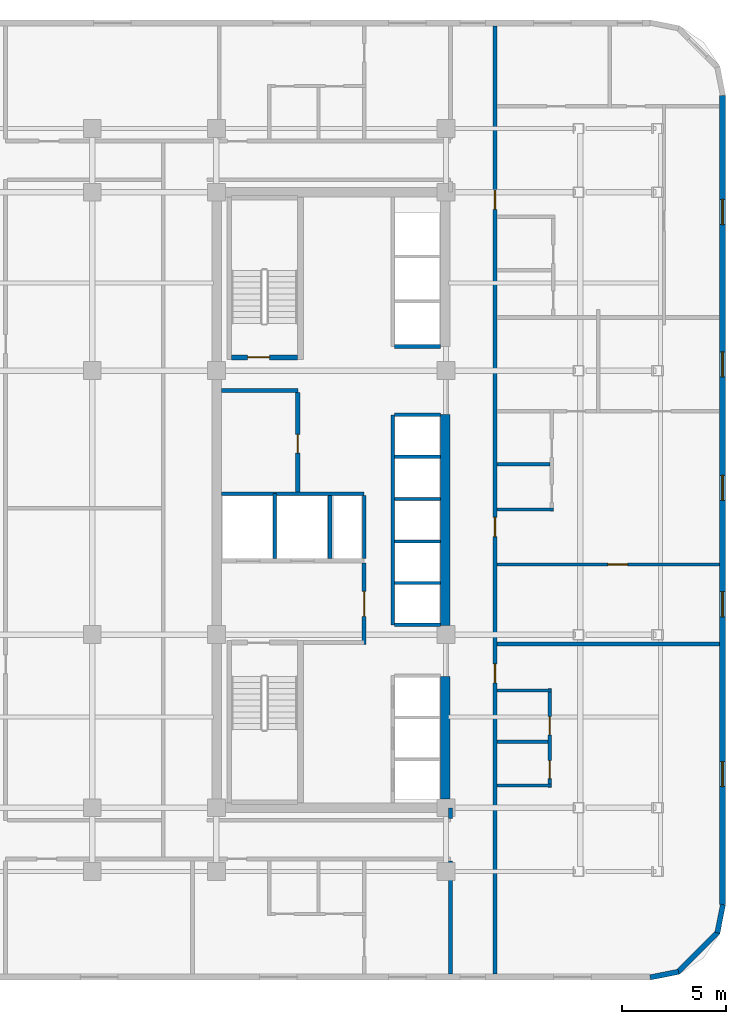
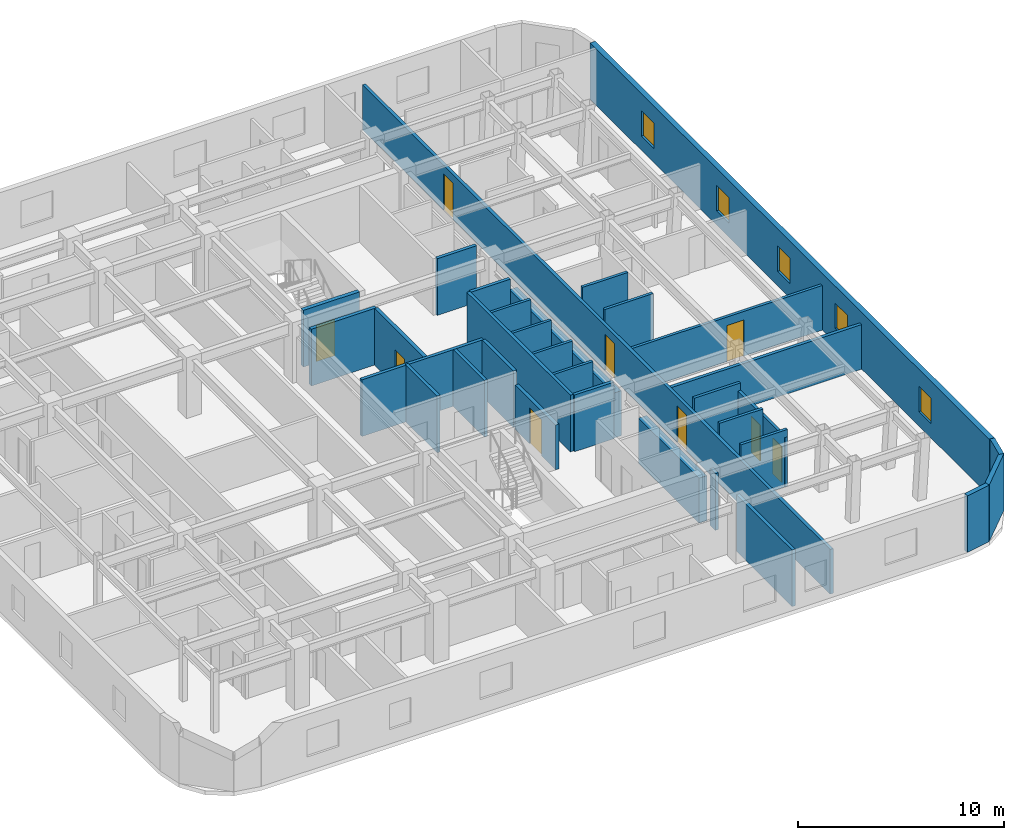
# One storey, part 8 of 12: 33 walls, 9 doors, 5 windows, 14 openings.
"""IFC4 building model written with IfcOpenShell, lengths in metres."""

from ifc_helpers import new_model, si_unit, direction, frame, frame_2d, origin, place, context, subcontext, project, spatial, rectangle, extrude, material, layer, layer_set, type_object, element, fill, save


model = new_model("IFC4")

# Units and contexts
model_context = context("Model", 3, precision=1e-05, world=origin(), true_north=direction((0.0, 1.0)))
body_context = subcontext(model_context, "Body", "Model", "MODEL_VIEW")
ifc_project = project(units=[si_unit("LENGTHUNIT", "METRE"), si_unit("AREAUNIT", "SQUARE_METRE"), si_unit("VOLUMEUNIT", "CUBIC_METRE"), si_unit("PLANEANGLEUNIT", "RADIAN"), si_unit("MASSUNIT", "GRAM", prefix="KILO")], contexts=[model_context])

# Site, building, storey
site_placement = place(None, origin())
site = spatial("IfcSite", under=ifc_project, at=site_placement, CompositionType="ELEMENT")
building_placement = place(site_placement, origin())
building = spatial("IfcBuilding", under=site, at=building_placement, Name="Ochreholt Gables", CompositionType="ELEMENT")
storey_placement = place(building_placement, frame((0.0, 0.0, 45.60009765625)))
storey = spatial("IfcBuildingStorey", under=building, at=storey_placement, Name="L11", CompositionType="ELEMENT", Elevation=45.60009765625)

# Walls
ifc_material_1 = material(Name="Concrete 60 MPa", Category="concrete")
ifc_layer_1 = layer(ifc_material_1, 0.449951171875, Name="Concrete 60 MPa")
ifc_layer_set_1 = layer_set([ifc_layer_1], Name="Concrete 60 MPa")
wall_type_1 = type_object("IfcWallType", Name="WALL-CSW-450", PredefinedType="SHEAR", material=ifc_layer_set_1)
wall_1_placement = place(storey_placement, frame((35.175048828125, 9.675048828125, 0.0), z_axis=(0.0, 0.0, 1.0), x_axis=(0.0, 1.0, 0.0)))
element("IfcWall", 1, at=wall_1_placement, inside=storey, type_object=wall_type_1, Name="L11 Core South-East Shear Wall", PredefinedType="SHEAR", context=body_context, shape_type="SweptSolid", body=[
    extrude(rectangle(XDim=5.875, YDim=0.449951171875, at=frame_2d((2.9375, 0.0))), origin(), (0.0, 0.0, 1.0), 2.6669921875),
])
wall_2_placement = place(storey_placement, frame((35.175048828125, 17.97509765625, 0.0), z_axis=(0.0, 0.0, 1.0), x_axis=(0.0, 1.0, 0.0)))
element("IfcWall", 2, at=wall_2_placement, inside=storey, type_object=wall_type_1, Name="L11 Core Central-East Shear Wall", PredefinedType="SHEAR", context=body_context, shape_type="SweptSolid", body=[
    extrude(rectangle(XDim=10.125, YDim=0.449951171875, at=frame_2d((5.0625, 0.0))), origin(), (0.0, 0.0, 1.0), 2.6669921875),
])

# Wall, openings, windows
ifc_material_2 = material(Name="Precast concrete 40 MPa", Category="concrete")
ifc_layer_2 = layer(ifc_material_2, 0.2900390625, Name="Precast concrete 40 MPa")
ifc_layer_set_2 = layer_set([ifc_layer_2], Name="Precast concrete 40 MPa")
wall_type_2 = type_object("IfcWallType", Name="WALL-EXT-290", PredefinedType="SOLIDWALL", material=ifc_layer_set_2)
wall_3_placement = place(storey_placement, frame((48.455078125, 4.6201171875, 0.0), z_axis=(0.0, 0.0, 1.0), x_axis=(0.0, 1.0, 0.0)))
wall_3 = element("IfcWall", 3, at=wall_3_placement, inside=storey, type_object=wall_type_2, Name="L11 East Exterior Wall", PredefinedType="SOLIDWALL", context=body_context, shape_type="SweptSolid", body=[
    extrude(rectangle(XDim=38.759765625, YDim=0.2900390625, at=frame_2d((19.3798828125, 0.0))), origin(), (0.0, 0.0, 1.0), 3.35986328125),
])
opening_1_placement = place(wall_3_placement, frame((5.639892578125, 0.0, 0.85009765625)))
opening_1 = element("IfcOpeningElement", 4, at=opening_1_placement, cuts=wall_3, Name="Opening WN-3", PredefinedType="OPENING", context=body_context, shape_type="SweptSolid", body=[
    extrude(rectangle(XDim=1.199951171875, YDim=1.5, at=frame_2d((0.60009765625, 0.75))), frame((0.0, 0.155029296875, 0.0), z_axis=(0.0, -1.0, 0.0), x_axis=(1.0, 0.0, 0.0)), (0.0, 0.0, 1.0), 0.31005859375),
])
opening_2_placement = place(wall_3_placement, frame((13.7841796875, 0.0, 0.85009765625)))
opening_2 = element("IfcOpeningElement", 5, at=opening_2_placement, cuts=wall_3, Name="Opening WN-3", PredefinedType="OPENING", context=body_context, shape_type="SweptSolid", body=[
    extrude(rectangle(XDim=1.199951171875, YDim=1.5, at=frame_2d((0.60009765625, 0.75))), frame((0.0, 0.155029296875, 0.0), z_axis=(0.0, -1.0, 0.0), x_axis=(1.0, 0.0, 0.0)), (0.0, 0.0, 1.0), 0.31005859375),
])
opening_3_placement = place(wall_3_placement, frame((19.359130859375, 0.0, 0.85009765625)))
opening_3 = element("IfcOpeningElement", 6, at=opening_3_placement, cuts=wall_3, Name="Opening WN-3", PredefinedType="OPENING", context=body_context, shape_type="SweptSolid", body=[
    extrude(rectangle(XDim=1.199951171875, YDim=1.5, at=frame_2d((0.60009765625, 0.75))), frame((0.0, 0.155029296875, 0.0), z_axis=(0.0, -1.0, 0.0), x_axis=(1.0, 0.0, 0.0)), (0.0, 0.0, 1.0), 0.31005859375),
])
opening_4_placement = place(wall_3_placement, frame((25.27490234375, 0.0, 0.85009765625)))
opening_4 = element("IfcOpeningElement", 7, at=opening_4_placement, cuts=wall_3, Name="Opening WN-3", PredefinedType="OPENING", context=body_context, shape_type="SweptSolid", body=[
    extrude(rectangle(XDim=1.199951171875, YDim=1.5, at=frame_2d((0.60009765625, 0.75))), frame((0.0, 0.155029296875, 0.0), z_axis=(0.0, -1.0, 0.0), x_axis=(1.0, 0.0, 0.0)), (0.0, 0.0, 1.0), 0.31005859375),
])
opening_5_placement = place(wall_3_placement, frame((32.580078125, 0.0, 0.85009765625)))
opening_5 = element("IfcOpeningElement", 8, at=opening_5_placement, cuts=wall_3, Name="Opening WN-3", PredefinedType="OPENING", context=body_context, shape_type="SweptSolid", body=[
    extrude(rectangle(XDim=1.199951171875, YDim=1.5, at=frame_2d((0.60009765625, 0.75))), frame((0.0, 0.155029296875, 0.0), z_axis=(0.0, -1.0, 0.0), x_axis=(1.0, 0.0, 0.0)), (0.0, 0.0, 1.0), 0.31005859375),
])
ifc_material_3 = material(Name="Triple-Glazed Thermally Broken Aluminium Window", Category="aluminium")
window_type = type_object("IfcWindowType", Name="WIN-RES-1200", PartitioningType="SINGLE_PANEL", PredefinedType="WINDOW", material=ifc_material_3)
window_1_placement = place(opening_1_placement, origin())
window_1 = element("IfcWindow", 9, at=window_1_placement, inside=storey, type_object=window_type, Name="L11 Window W-EXT-E-L11-1", OverallHeight=1.5, OverallWidth=1.199951171875, PartitioningType="SINGLE_PANEL", PredefinedType="WINDOW", context=body_context, shape_type="SweptSolid", body=[
    extrude(rectangle(XDim=1.199951171875, YDim=1.5, at=frame_2d((0.60009765625, 0.75))), frame((0.0, 0.030029296875, 0.0), z_axis=(0.0, -1.0, 0.0), x_axis=(1.0, 0.0, 0.0)), (0.0, 0.0, 1.0), 0.06005859375),
])
fill(opening_1, window_1)
window_2_placement = place(opening_2_placement, origin())
window_2 = element("IfcWindow", 10, at=window_2_placement, inside=storey, type_object=window_type, Name="L11 Window W-EXT-E-L11-2", OverallHeight=1.5, OverallWidth=1.199951171875, PartitioningType="SINGLE_PANEL", PredefinedType="WINDOW", context=body_context, shape_type="SweptSolid", body=[
    extrude(rectangle(XDim=1.199951171875, YDim=1.5, at=frame_2d((0.60009765625, 0.75))), frame((0.0, 0.030029296875, 0.0), z_axis=(0.0, -1.0, 0.0), x_axis=(1.0, 0.0, 0.0)), (0.0, 0.0, 1.0), 0.06005859375),
])
fill(opening_2, window_2)
window_3_placement = place(opening_3_placement, origin())
window_3 = element("IfcWindow", 11, at=window_3_placement, inside=storey, type_object=window_type, Name="L11 Window W-EXT-E-L11-3", OverallHeight=1.5, OverallWidth=1.199951171875, PartitioningType="SINGLE_PANEL", PredefinedType="WINDOW", context=body_context, shape_type="SweptSolid", body=[
    extrude(rectangle(XDim=1.199951171875, YDim=1.5, at=frame_2d((0.60009765625, 0.75))), frame((0.0, 0.030029296875, 0.0), z_axis=(0.0, -1.0, 0.0), x_axis=(1.0, 0.0, 0.0)), (0.0, 0.0, 1.0), 0.06005859375),
])
fill(opening_3, window_3)
window_4_placement = place(opening_4_placement, origin())
window_4 = element("IfcWindow", 12, at=window_4_placement, inside=storey, type_object=window_type, Name="L11 Window W-EXT-E-L11-4", OverallHeight=1.5, OverallWidth=1.199951171875, PartitioningType="SINGLE_PANEL", PredefinedType="WINDOW", context=body_context, shape_type="SweptSolid", body=[
    extrude(rectangle(XDim=1.199951171875, YDim=1.5, at=frame_2d((0.60009765625, 0.75))), frame((0.0, 0.030029296875, 0.0), z_axis=(0.0, -1.0, 0.0), x_axis=(1.0, 0.0, 0.0)), (0.0, 0.0, 1.0), 0.06005859375),
])
fill(opening_4, window_4)
window_5_placement = place(opening_5_placement, origin())
window_5 = element("IfcWindow", 13, at=window_5_placement, inside=storey, type_object=window_type, Name="L11 Window W-EXT-E-L11-5", OverallHeight=1.5, OverallWidth=1.199951171875, PartitioningType="SINGLE_PANEL", PredefinedType="WINDOW", context=body_context, shape_type="SweptSolid", body=[
    extrude(rectangle(XDim=1.199951171875, YDim=1.5, at=frame_2d((0.60009765625, 0.75))), frame((0.0, 0.030029296875, 0.0), z_axis=(0.0, -1.0, 0.0), x_axis=(1.0, 0.0, 0.0)), (0.0, 0.0, 1.0), 0.06005859375),
])
fill(opening_5, window_5)

# Walls
ifc_layer_3 = layer(ifc_material_2, 0.25, Name="Precast concrete 40 MPa")
ifc_layer_set_3 = layer_set([ifc_layer_3], Name="Precast concrete 40 MPa")
wall_type_3 = type_object("IfcWallType", Name="WALL-EXT-CNR", PredefinedType="SOLIDWALL", material=ifc_layer_set_3)
wall_4_placement = place(storey_placement, frame((44.9833984375, 1.124267578125, 0.0), z_axis=(0.0, 0.0, 1.0), x_axis=(0.980809899341, 0.19496651342, 0.0)))
element("IfcWall", 14, at=wall_4_placement, inside=storey, type_object=wall_type_3, Name="L11 Rounded Corner Wall SE-1", PredefinedType="SOLIDWALL", context=body_context, shape_type="SweptSolid", body=[
    extrude(rectangle(XDim=1.388671875, YDim=0.25, at=frame_2d((0.6943359375, 0.0))), origin(), (0.0, 0.0, 1.0), 3.35986328125),
])
wall_5_placement = place(storey_placement, frame((46.294921875, 1.367919921875, 0.0), z_axis=(0.0, 0.0, 1.0), x_axis=(0.707106781187, 0.707106781187, 0.0)))
element("IfcWall", 15, at=wall_5_placement, inside=storey, type_object=wall_type_3, Name="L11 Rounded Corner Wall SE-2", PredefinedType="SOLIDWALL", context=body_context, shape_type="SweptSolid", body=[
    extrude(rectangle(XDim=2.7392578125, YDim=0.25, at=frame_2d((1.36962890625, 0.0))), origin(), (0.0, 0.0, 1.0), 3.35986328125),
])
wall_6_placement = place(storey_placement, frame((48.205078125, 3.25439453125, 0.0), z_axis=(0.0, 0.0, 1.0), x_axis=(0.19496651342, 0.980809899341, 0.0)))
element("IfcWall", 16, at=wall_6_placement, inside=storey, type_object=wall_type_3, Name="L11 Rounded Corner Wall SE-3", PredefinedType="SOLIDWALL", context=body_context, shape_type="SweptSolid", body=[
    extrude(rectangle(XDim=1.388671875, YDim=0.25, at=frame_2d((0.6943359375, 0.0))), origin(), (0.0, 0.0, 1.0), 3.35986328125),
])

# Wall, opening, door
ifc_material_4 = material(Name="Concrete 40 MPa", Category="concrete")
ifc_layer_4 = layer(ifc_material_4, 0.199951171875, Name="Concrete 40 MPa")
ifc_layer_set_4 = layer_set([ifc_layer_4], Name="Concrete 40 MPa")
wall_type_4 = type_object("IfcWallType", Name="WALL-INT-CF200", PredefinedType="STANDARD", material=ifc_layer_set_4)
wall_7_placement = place(storey_placement, frame((31.280029296875, 17.070068359375, 0.0), z_axis=(0.0, 0.0, 1.0), x_axis=(0.0, 1.0, 0.0)))
wall_7 = element("IfcWall", 17, at=wall_7_placement, inside=storey, type_object=wall_type_4, Name="L11 Interior Wall WI-FFE-L11", PredefinedType="STANDARD", context=body_context, shape_type="SweptSolid", body=[
    extrude(rectangle(XDim=3.919921875, YDim=0.199951171875, at=frame_2d((1.9599609375, 0.0))), origin(), (0.0, 0.0, 1.0), 2.64892578125),
])
opening_6_placement = place(wall_7_placement, frame((1.35009765625, 0.0, 0.0)))
opening_6 = element("IfcOpeningElement", 18, at=opening_6_placement, cuts=wall_7, Name="Opening D-FFL", PredefinedType="OPENING", context=body_context, shape_type="SweptSolid", body=[
    extrude(rectangle(XDim=1.199951171875, YDim=2.14990234375, at=frame_2d((0.60009765625, 1.074951171875))), frame((0.0, 0.10986328125, 0.0), z_axis=(0.0, -1.0, 0.0), x_axis=(1.0, 0.0, 0.0)), (0.0, 0.0, 1.0), 0.219970703125),
])
ifc_material_5 = material(Name="Hollow Metal Steel", Category="steel")
door_type_1 = type_object("IfcDoorType", Name="DR-INT-FFL1200", OperationType="NOTDEFINED", PredefinedType="DOOR", material=ifc_material_5)
door_1_placement = place(opening_6_placement, origin())
door_1 = element("IfcDoor", 19, at=door_1_placement, inside=storey, type_object=door_type_1, Name="L11 Door D-FFL-L11", OperationType="SINGLE_SWING_LEFT", OverallHeight=2.14990234375, OverallWidth=1.199951171875, PredefinedType="DOOR", context=body_context, shape_type="SweptSolid", body=[
    extrude(rectangle(XDim=1.199951171875, YDim=2.14990234375, at=frame_2d((0.60009765625, 1.074951171875))), frame((0.0, 0.02490234375, 0.0), z_axis=(0.0, -1.0, 0.0), x_axis=(1.0, 0.0, 0.0)), (0.0, 0.0, 1.0), 0.050048828125),
])
fill(opening_6, door_1)

# Wall
wall_8_placement = place(storey_placement, frame((24.449951171875, 29.239990234375, 0.0), z_axis=(0.0, 0.0, 1.0), x_axis=(1.0, 0.0, 0.0)))
element("IfcWall", 20, at=wall_8_placement, inside=storey, type_object=wall_type_4, Name="L11 Interior Wall WI-SRVN-L11", PredefinedType="STANDARD", context=body_context, shape_type="SweptSolid", body=[
    extrude(rectangle(XDim=3.650146484375, YDim=0.199951171875, at=frame_2d((1.8251953125, 0.0))), origin(), (0.0, 0.0, 1.0), 3.35986328125),
])

# Wall, opening, door
wall_9_placement = place(storey_placement, frame((28.10009765625, 24.389892578125, 0.0), z_axis=(0.0, 0.0, 1.0), x_axis=(0.0, 1.0, 0.0)))
wall_9 = element("IfcWall", 21, at=wall_9_placement, inside=storey, type_object=wall_type_4, Name="L11 Interior Wall WI-SRVE-L11", PredefinedType="STANDARD", context=body_context, shape_type="SweptSolid", body=[
    extrude(rectangle(XDim=4.75, YDim=0.199951171875, at=frame_2d((2.375, 0.0))), origin(), (0.0, 0.0, 1.0), 3.35986328125),
])
opening_7_placement = place(wall_9_placement, frame((1.860107421875, 0.0, 0.0)))
opening_7 = element("IfcOpeningElement", 22, at=opening_7_placement, cuts=wall_9, Name="Opening D-SV1", PredefinedType="OPENING", context=body_context, shape_type="SweptSolid", body=[
    extrude(rectangle(XDim=0.89990234375, YDim=2.10009765625, at=frame_2d((0.449951171875, 1.050048828125))), frame((0.0, 0.10986328125, 0.0), z_axis=(0.0, -1.0, 0.0), x_axis=(1.0, 0.0, 0.0)), (0.0, 0.0, 1.0), 0.219970703125),
])
door_type_2 = type_object("IfcDoorType", Name="DR-INT-SRV900", OperationType="NOTDEFINED", PredefinedType="DOOR", material=ifc_material_5)
door_2_placement = place(opening_7_placement, origin())
door_2 = element("IfcDoor", 23, at=door_2_placement, inside=storey, type_object=door_type_2, Name="L11 Door D-SRV1-L11", OperationType="SINGLE_SWING_LEFT", OverallHeight=2.10009765625, OverallWidth=0.89990234375, PredefinedType="DOOR", context=body_context, shape_type="SweptSolid", body=[
    extrude(rectangle(XDim=0.89990234375, YDim=2.10009765625, at=frame_2d((0.449951171875, 1.050048828125))), frame((0.0, 0.02490234375, 0.0), z_axis=(0.0, -1.0, 0.0), x_axis=(1.0, 0.0, 0.0)), (0.0, 0.0, 1.0), 0.050048828125),
])
fill(opening_7, door_2)

# Wall, openings, doors
ifc_material_6 = material(Name="Fire-Rated Gypsum Acoustic Partition", Category="gypsum")
ifc_layer_5 = layer(ifc_material_6, 0.179931640625, Name="Fire-Rated Gypsum Acoustic Partition")
ifc_layer_set_5 = layer_set([ifc_layer_5], Name="Fire-Rated Gypsum Acoustic Partition")
wall_type_5 = type_object("IfcWallType", Name="WALL-INT-CR180", PredefinedType="STANDARD", material=ifc_layer_set_5)
wall_10_placement = place(storey_placement, frame((37.550048828125, 1.2900390625, 0.0), z_axis=(0.0, 0.0, 1.0), x_axis=(0.0, 1.0, 0.0)))
wall_10 = element("IfcWall", 24, at=wall_10_placement, inside=storey, type_object=wall_type_5, Name="L11 Interior Wall WI-C1E-L11", PredefinedType="STANDARD", context=body_context, shape_type="SweptSolid", body=[
    extrude(rectangle(XDim=45.419921875, YDim=0.179931640625, at=frame_2d((22.7099609375, 0.0))), origin(), (0.0, 0.0, 1.0), 2.64892578125),
])
opening_8_placement = place(wall_10_placement, frame((13.94287109375, 0.0, 0.0)))
opening_8 = element("IfcOpeningElement", 25, at=opening_8_placement, cuts=wall_10, Name="Opening D-UN1", PredefinedType="OPENING", context=body_context, shape_type="SweptSolid", body=[
    extrude(rectangle(XDim=0.919921875, YDim=2.14990234375, at=frame_2d((0.4599609375, 1.074951171875))), frame((0.0, 0.099853515625, 0.0), z_axis=(0.0, -1.0, 0.0), x_axis=(1.0, 0.0, 0.0)), (0.0, 0.0, 1.0), 0.199951171875),
])
opening_9_placement = place(wall_10_placement, frame((20.952880859375, 0.0, 0.0)))
opening_9 = element("IfcOpeningElement", 26, at=opening_9_placement, cuts=wall_10, Name="Opening D-UN1", PredefinedType="OPENING", context=body_context, shape_type="SweptSolid", body=[
    extrude(rectangle(XDim=0.919921875, YDim=2.14990234375, at=frame_2d((0.4599609375, 1.074951171875))), frame((0.0, 0.099853515625, 0.0), z_axis=(0.0, -1.0, 0.0), x_axis=(1.0, 0.0, 0.0)), (0.0, 0.0, 1.0), 0.199951171875),
])
opening_10_placement = place(wall_10_placement, frame((36.635498046875, 0.0, 0.0)))
opening_10 = element("IfcOpeningElement", 27, at=opening_10_placement, cuts=wall_10, Name="Opening D-UN1", PredefinedType="OPENING", context=body_context, shape_type="SweptSolid", body=[
    extrude(rectangle(XDim=0.919921875, YDim=2.14990234375, at=frame_2d((0.4599609375, 1.074951171875))), frame((0.0, 0.099853515625, 0.0), z_axis=(0.0, -1.0, 0.0), x_axis=(1.0, 0.0, 0.0)), (0.0, 0.0, 1.0), 0.199951171875),
])
ifc_material_7 = material(Name="Engineered Oak Timber", Category="wood")
door_type_3 = type_object("IfcDoorType", Name="DR-INT-UNT920", OperationType="NOTDEFINED", PredefinedType="DOOR", material=ifc_material_7)
door_3_placement = place(opening_8_placement, origin())
door_3 = element("IfcDoor", 28, at=door_3_placement, inside=storey, type_object=door_type_3, Name="L11 Door D-U-L11E1-ENT", OperationType="SINGLE_SWING_RIGHT", OverallHeight=2.14990234375, OverallWidth=0.919921875, PredefinedType="DOOR", context=body_context, shape_type="SweptSolid", body=[
    extrude(rectangle(XDim=0.919921875, YDim=2.14990234375, at=frame_2d((0.4599609375, 1.074951171875))), frame((0.0, 0.02490234375, 0.0), z_axis=(0.0, -1.0, 0.0), x_axis=(1.0, 0.0, 0.0)), (0.0, 0.0, 1.0), 0.050048828125),
])
fill(opening_8, door_3)
door_4_placement = place(opening_9_placement, origin())
door_4 = element("IfcDoor", 29, at=door_4_placement, inside=storey, type_object=door_type_3, Name="L11 Door D-U-L11E2-ENT", OperationType="SINGLE_SWING_LEFT", OverallHeight=2.14990234375, OverallWidth=0.919921875, PredefinedType="DOOR", context=body_context, shape_type="SweptSolid", body=[
    extrude(rectangle(XDim=0.919921875, YDim=2.14990234375, at=frame_2d((0.4599609375, 1.074951171875))), frame((0.0, 0.02490234375, 0.0), z_axis=(0.0, -1.0, 0.0), x_axis=(1.0, 0.0, 0.0)), (0.0, 0.0, 1.0), 0.050048828125),
])
fill(opening_9, door_4)
door_5_placement = place(opening_10_placement, origin())
door_5 = element("IfcDoor", 30, at=door_5_placement, inside=storey, type_object=door_type_3, Name="L11 Door D-U-L11E3-ENT", OperationType="SINGLE_SWING_RIGHT", OverallHeight=2.14990234375, OverallWidth=0.919921875, PredefinedType="DOOR", context=body_context, shape_type="SweptSolid", body=[
    extrude(rectangle(XDim=0.919921875, YDim=2.14990234375, at=frame_2d((0.4599609375, 1.074951171875))), frame((0.0, 0.02490234375, 0.0), z_axis=(0.0, -1.0, 0.0), x_axis=(1.0, 0.0, 0.0)), (0.0, 0.0, 1.0), 0.050048828125),
])
fill(opening_10, door_5)

# Walls
wall_11_placement = place(storey_placement, frame((35.419921875, 8.739990234375, 0.0), z_axis=(0.0, 0.0, 1.0), x_axis=(0.0, 1.0, 0.0)))
element("IfcWall", 31, at=wall_11_placement, inside=storey, type_object=wall_type_5, Name="L11 Interior Wall WI-C1ESW2-L11", PredefinedType="STANDARD", context=body_context, shape_type="SweptSolid", body=[
    extrude(rectangle(XDim=0.510009765625, YDim=0.179931640625, at=frame_2d((0.2548828125, 0.0))), origin(), (0.0, 0.0, 1.0), 3.35986328125),
])
ifc_material_8 = material(Name="Double-Stud Acoustic Demising Wall", Category="gypsum")
ifc_layer_6 = layer(ifc_material_8, 0.179931640625, Name="Double-Stud Acoustic Demising Wall")
ifc_layer_set_6 = layer_set([ifc_layer_6], Name="Double-Stud Acoustic Demising Wall")
wall_type_6 = type_object("IfcWallType", Name="WALL-INT-DM180", PredefinedType="PARTITIONING", material=ifc_layer_set_6)
wall_12_placement = place(storey_placement, frame((35.419921875, 1.2900390625, 0.0), z_axis=(0.0, 0.0, 1.0), x_axis=(0.0, 1.0, 0.0)))
element("IfcWall", 32, at=wall_12_placement, inside=storey, type_object=wall_type_6, Name="L11 Interior Wall WI-C1ESW-L11", PredefinedType="PARTITIONING", context=body_context, shape_type="SweptSolid", body=[
    extrude(rectangle(XDim=5.419921875, YDim=0.179931640625, at=frame_2d((2.7099609375, 0.0))), origin(), (0.0, 0.0, 1.0), 3.35986328125),
])
wall_13_placement = place(storey_placement, frame((37.639892578125, 17.10009765625, 0.0), z_axis=(0.0, 0.0, 1.0), x_axis=(1.0, 0.0, 0.0)))
element("IfcWall", 33, at=wall_13_placement, inside=storey, type_object=wall_type_6, Name="L11 Interior Wall WI-UDE2-L11", PredefinedType="PARTITIONING", context=body_context, shape_type="SweptSolid", body=[
    extrude(rectangle(XDim=10.670166015625, YDim=0.179931640625, at=frame_2d((5.3349609375, 0.0))), origin(), (0.0, 0.0, 1.0), 2.64892578125),
])
ifc_material_9 = material(Name="Moisture-Resistant Plumbing Chase Wall", Category="gypsum")
ifc_layer_7 = layer(ifc_material_9, 0.159912109375, Name="Moisture-Resistant Plumbing Chase Wall")
ifc_layer_set_7 = layer_set([ifc_layer_7], Name="Moisture-Resistant Plumbing Chase Wall")
wall_type_7 = type_object("IfcWallType", Name="WALL-INT-PL160", PredefinedType="PLUMBINGWALL", material=ifc_layer_set_7)
for number, where, z_axis, x_axis, name in (
    (34, (37.639892578125, 10.322998046875, 0.0), (0.0, 0.0, 1.0), (1.0, 0.0, 0.0), "L11 Interior Wall WU-L11E1-WYS"),
    (35, (37.639892578125, 14.872802734375, 0.0), (0.0, 0.0, 1.0), (1.0, 0.0, 0.0), "L11 Interior Wall WU-L11E1-WYN"),
):
    element("IfcWall", number, at=place(storey_placement, frame(where, z_axis=z_axis, x_axis=x_axis)), inside=storey, type_object=wall_type_7, Name=name, PredefinedType="PLUMBINGWALL", context=body_context, shape_type="SweptSolid", body=[
        extrude(rectangle(XDim=2.606201171875, YDim=0.159912109375, at=frame_2d((1.30322265625, 0.0))), origin(), (0.0, 0.0, 1.0), 3.35986328125),
    ])

# Wall, openings, doors
wall_14_placement = place(storey_placement, frame((40.166015625, 10.23291015625, 0.0), z_axis=(0.0, 0.0, 1.0), x_axis=(0.0, 1.0, 0.0)))
wall_14 = element("IfcWall", 36, at=wall_14_placement, inside=storey, type_object=wall_type_7, Name="L11 Interior Wall WU-L11E1-WX", PredefinedType="PLUMBINGWALL", context=body_context, shape_type="SweptSolid", body=[
    extrude(rectangle(XDim=4.72998046875, YDim=0.159912109375, at=frame_2d((2.364990234375, 0.0))), origin(), (0.0, 0.0, 1.0), 2.931884765625),
])
opening_11_placement = place(wall_14_placement, frame((0.419921875, 0.0, 0.0)))
opening_11 = element("IfcOpeningElement", 37, at=opening_11_placement, cuts=wall_14, Name="Opening D-BT1", PredefinedType="OPENING", context=body_context, shape_type="SweptSolid", body=[
    extrude(rectangle(XDim=0.860107421875, YDim=2.1201171875, at=frame_2d((0.43017578125, 1.06005859375))), frame((0.0, 0.08984375, 0.0), z_axis=(0.0, -1.0, 0.0), x_axis=(1.0, 0.0, 0.0)), (0.0, 0.0, 1.0), 0.179931640625),
])
opening_12_placement = place(wall_14_placement, frame((2.512939453125, 0.0, 0.0)))
opening_12 = element("IfcOpeningElement", 38, at=opening_12_placement, cuts=wall_14, Name="Opening D-GN2", PredefinedType="OPENING", context=body_context, shape_type="SweptSolid", body=[
    extrude(rectangle(XDim=0.8798828125, YDim=2.1201171875, at=frame_2d((0.43994140625, 1.06005859375))), frame((0.0, 0.08984375, 0.0), z_axis=(0.0, -1.0, 0.0), x_axis=(1.0, 0.0, 0.0)), (0.0, 0.0, 1.0), 0.179931640625),
])
door_type_4 = type_object("IfcDoorType", Name="DR-INT-BTH860", OperationType="NOTDEFINED", PredefinedType="DOOR", material=ifc_material_7)
door_6_placement = place(opening_11_placement, origin())
door_6 = element("IfcDoor", 39, at=door_6_placement, inside=storey, type_object=door_type_4, Name="L11 Door D-U-L11E1-BTH", OperationType="SINGLE_SWING_LEFT", OverallHeight=2.1201171875, OverallWidth=0.860107421875, PredefinedType="DOOR", context=body_context, shape_type="SweptSolid", body=[
    extrude(rectangle(XDim=0.860107421875, YDim=2.1201171875, at=frame_2d((0.43017578125, 1.06005859375))), frame((0.0, 0.02490234375, 0.0), z_axis=(0.0, -1.0, 0.0), x_axis=(1.0, 0.0, 0.0)), (0.0, 0.0, 1.0), 0.050048828125),
])
fill(opening_11, door_6)
door_type_5 = type_object("IfcDoorType", Name="DR-INT-GEN880", OperationType="NOTDEFINED", PredefinedType="DOOR", material=ifc_material_7)
door_7_placement = place(opening_12_placement, origin())
door_7 = element("IfcDoor", 40, at=door_7_placement, inside=storey, type_object=door_type_5, Name="L11 Door D-U-L11E1-KIT", OperationType="SINGLE_SWING_RIGHT", OverallHeight=2.1201171875, OverallWidth=0.8798828125, PredefinedType="DOOR", context=body_context, shape_type="SweptSolid", body=[
    extrude(rectangle(XDim=0.8798828125, YDim=2.1201171875, at=frame_2d((0.43994140625, 1.06005859375))), frame((0.0, 0.02490234375, 0.0), z_axis=(0.0, -1.0, 0.0), x_axis=(1.0, 0.0, 0.0)), (0.0, 0.0, 1.0), 0.050048828125),
])
fill(opening_12, door_7)

# Walls
wall_15_placement = place(storey_placement, frame((37.639892578125, 12.416015625, 0.0), z_axis=(0.0, 0.0, 1.0), x_axis=(1.0, 0.0, 0.0)))
element("IfcWall", 41, at=wall_15_placement, inside=storey, type_object=wall_type_7, Name="L11 Interior Wall WU-L11E1-WM", PredefinedType="PLUMBINGWALL", context=body_context, shape_type="SweptSolid", body=[
    extrude(rectangle(XDim=2.446044921875, YDim=0.159912109375, at=frame_2d((1.22314453125, 0.0))), origin(), (0.0, 0.0, 1.0), 3.35986328125),
])
wall_16_placement = place(storey_placement, frame((37.639892578125, 23.54296875, 0.0), z_axis=(0.0, 0.0, 1.0), x_axis=(1.0, 0.0, 0.0)))
element("IfcWall", 42, at=wall_16_placement, inside=storey, type_object=wall_type_7, Name="L11 Interior Wall WU-L11E2-FYS", PredefinedType="PLUMBINGWALL", context=body_context, shape_type="SweptSolid", body=[
    extrude(rectangle(XDim=2.712158203125, YDim=0.159912109375, at=frame_2d((1.35595703125, 0.0))), origin(), (0.0, 0.0, 1.0), 3.35986328125),
])
wall_17_placement = place(storey_placement, frame((37.639892578125, 25.708251953125, 0.0), z_axis=(0.0, 0.0, 1.0), x_axis=(1.0, 0.0, 0.0)))
element("IfcWall", 43, at=wall_17_placement, inside=storey, type_object=wall_type_7, Name="L11 Interior Wall WU-L11E2-WK", PredefinedType="PLUMBINGWALL", context=body_context, shape_type="SweptSolid", body=[
    extrude(rectangle(XDim=2.552001953125, YDim=0.159912109375, at=frame_2d((1.27587890625, 0.0))), origin(), (0.0, 0.0, 1.0), 3.35986328125),
])

# Wall, opening, door
ifc_material_10 = material(Name="Gypsum Acoustic Stud Partition", Category="gypsum")
ifc_layer_8 = layer(ifc_material_10, 0.159912109375, Name="Gypsum Acoustic Stud Partition")
ifc_layer_set_8 = layer_set([ifc_layer_8], Name="Gypsum Acoustic Stud Partition")
wall_type_8 = type_object("IfcWallType", Name="WALL-INT-PT160", PredefinedType="PARTITIONING", material=ifc_layer_set_8)
wall_18_placement = place(storey_placement, frame((37.639892578125, 20.908447265625, 0.0), z_axis=(0.0, 0.0, 1.0), x_axis=(1.0, 0.0, 0.0)))
wall_18 = element("IfcWall", 44, at=wall_18_placement, inside=storey, type_object=wall_type_8, Name="L11 Interior Wall WU-L11E2-DNW", PredefinedType="PARTITIONING", context=body_context, shape_type="SweptSolid", body=[
    extrude(rectangle(XDim=10.670166015625, YDim=0.159912109375, at=frame_2d((5.3349609375, 0.0))), origin(), (0.0, 0.0, 1.0), 2.64892578125),
])
opening_13_placement = place(wall_18_placement, frame((5.31494140625, 0.0, 0.0)))
opening_13 = element("IfcOpeningElement", 45, at=opening_13_placement, cuts=wall_18, Name="Opening D-GN1", PredefinedType="OPENING", context=body_context, shape_type="SweptSolid", body=[
    extrude(rectangle(XDim=0.949951171875, YDim=2.14990234375, at=frame_2d((0.47509765625, 1.074951171875))), frame((0.0, 0.08984375, 0.0), z_axis=(0.0, -1.0, 0.0), x_axis=(1.0, 0.0, 0.0)), (0.0, 0.0, 1.0), 0.179931640625),
])
door_type_6 = type_object("IfcDoorType", Name="DR-INT-GEN950", OperationType="NOTDEFINED", PredefinedType="DOOR", material=ifc_material_7)
door_8_placement = place(opening_13_placement, origin())
door_8 = element("IfcDoor", 46, at=door_8_placement, inside=storey, type_object=door_type_6, Name="L11 Door D-U-L11E2-DIN", OperationType="SINGLE_SWING_RIGHT", OverallHeight=2.14990234375, OverallWidth=0.949951171875, PredefinedType="DOOR", context=body_context, shape_type="SweptSolid", body=[
    extrude(rectangle(XDim=0.949951171875, YDim=2.14990234375, at=frame_2d((0.47509765625, 1.074951171875))), frame((0.0, 0.02490234375, 0.0), z_axis=(0.0, -1.0, 0.0), x_axis=(1.0, 0.0, 0.0)), (0.0, 0.0, 1.0), 0.050048828125),
])
fill(opening_13, door_8)

# Walls
ifc_material_11 = material(Name="Gypsum Shaftliner and Steel Stud", Category="steel")
ifc_layer_9 = layer(ifc_material_11, 0.14990234375, Name="Gypsum Shaftliner and Steel Stud")
ifc_layer_set_9 = layer_set([ifc_layer_9], Name="Gypsum Shaftliner and Steel Stud")
wall_type_9 = type_object("IfcWallType", Name="WALL-INT-SH150", PredefinedType="STANDARD", material=ifc_layer_set_9)
for number, where, z_axis, x_axis, name in (
    (47, (32.739990234375, 20.02001953125, 0.0), (0.0, 0.0, 1.0), (1.0, 0.0, 0.0), "L11 Interior Wall WI-LFHE-DH1-L11"),
    (48, (32.739990234375, 22.02001953125, 0.0), (0.0, 0.0, 1.0), (1.0, 0.0, 0.0), "L11 Interior Wall WI-LFHE-DH2-L11"),
    (49, (32.739990234375, 24.050048828125, 0.0), (0.0, 0.0, 1.0), (1.0, 0.0, 0.0), "L11 Interior Wall WI-LFHE-DHE-L11"),
    (50, (32.739990234375, 26.070068359375, 0.0), (0.0, 0.0, 1.0), (1.0, 0.0, 0.0), "L11 Interior Wall WI-LFHE-DEX1-L11"),
):
    element("IfcWall", number, at=place(storey_placement, frame(where, z_axis=z_axis, x_axis=x_axis)), inside=storey, type_object=wall_type_9, Name=name, PredefinedType="STANDARD", context=body_context, shape_type="SweptSolid", body=[
        extrude(rectangle(XDim=2.2099609375, YDim=0.14990234375, at=frame_2d((1.10498046875, 0.0))), origin(), (0.0, 0.0, 1.0), 3.35986328125),
    ])
ifc_layer_10 = layer(ifc_material_11, 0.179931640625, Name="Gypsum Shaftliner and Steel Stud")
ifc_layer_set_10 = layer_set([ifc_layer_10], Name="Gypsum Shaftliner and Steel Stud")
wall_type_10 = type_object("IfcWallType", Name="WALL-INT-SH180", PredefinedType="STANDARD", material=ifc_layer_set_10)
wall_19_placement = place(storey_placement, frame((27.0, 21.18994140625, 0.0), z_axis=(0.0, 0.0, 1.0), x_axis=(0.0, 1.0, 0.0)))
element("IfcWall", 51, at=wall_19_placement, inside=storey, type_object=wall_type_10, Name="L11 Interior Wall WI-FFDIV-L11", PredefinedType="STANDARD", context=body_context, shape_type="SweptSolid", body=[
    extrude(rectangle(XDim=3.110107421875, YDim=0.179931640625, at=frame_2d((1.55517578125, 0.0))), origin(), (0.0, 0.0, 1.0), 3.35986328125),
])
wall_20_placement = place(storey_placement, frame((24.449951171875, 24.300048828125, 0.0), z_axis=(0.0, 0.0, 1.0), x_axis=(1.0, 0.0, 0.0)))
element("IfcWall", 52, at=wall_20_placement, inside=storey, type_object=wall_type_10, Name="L11 Interior Wall WI-FFBK-L11", PredefinedType="STANDARD", context=body_context, shape_type="SweptSolid", body=[
    extrude(rectangle(XDim=6.830078125, YDim=0.179931640625, at=frame_2d((3.4150390625, 0.0))), origin(), (0.0, 0.0, 1.0), 3.35986328125),
])
for number, where, z_axis, x_axis, name in (
    (53, (29.64990234375, 21.18994140625, 0.0), (0.0, 0.0, 1.0), (0.0, 1.0, 0.0), "L11 Interior Wall WI-FFSH-L11"),
    (54, (31.280029296875, 21.18994140625, 0.0), (0.0, 0.0, 1.0), (0.0, 1.0, 0.0), "L11 Interior Wall WI-RSE-L11"),
):
    element("IfcWall", number, at=place(storey_placement, frame(where, z_axis=z_axis, x_axis=x_axis)), inside=storey, type_object=wall_type_10, Name=name, PredefinedType="STANDARD", context=body_context, shape_type="SweptSolid", body=[
        extrude(rectangle(XDim=3.02001953125, YDim=0.179931640625, at=frame_2d((1.510009765625, 0.0))), origin(), (0.0, 0.0, 1.0), 3.35986328125),
    ])
wall_21_placement = place(storey_placement, frame((32.64990234375, 18.02001953125, 0.0), z_axis=(0.0, 0.0, 1.0), x_axis=(0.0, 1.0, 0.0)))
element("IfcWall", 55, at=wall_21_placement, inside=storey, type_object=wall_type_10, Name="L11 Interior Wall WI-LFHE-FR-L11", PredefinedType="STANDARD", context=body_context, shape_type="SweptSolid", body=[
    extrude(rectangle(XDim=10.06005859375, YDim=0.179931640625, at=frame_2d((5.030029296875, 0.0))), origin(), (0.0, 0.0, 1.0), 3.35986328125),
])
for number, where, z_axis, x_axis, name in (
    (56, (32.739990234375, 18.02001953125, 0.0), (0.0, 0.0, 1.0), (1.0, 0.0, 0.0), "L11 Interior Wall WI-LFHE-S-L11"),
    (57, (32.739990234375, 28.080078125, 0.0), (0.0, 0.0, 1.0), (1.0, 0.0, 0.0), "L11 Interior Wall WI-LFHE-N-L11"),
    (58, (32.739990234375, 31.35009765625, 0.0), (0.0, 0.0, 1.0), (1.0, 0.0, 0.0), "L11 Interior Wall WI-LFM-S-L11"),
):
    element("IfcWall", number, at=place(storey_placement, frame(where, z_axis=z_axis, x_axis=x_axis)), inside=storey, type_object=wall_type_10, Name=name, PredefinedType="STANDARD", context=body_context, shape_type="SweptSolid", body=[
        extrude(rectangle(XDim=2.2099609375, YDim=0.179931640625, at=frame_2d((1.10498046875, 0.0))), origin(), (0.0, 0.0, 1.0), 3.35986328125),
    ])

# Wall, opening, door
ifc_material_12 = material(Name="Concrete 50 MPa", Category="concrete")
ifc_layer_11 = layer(ifc_material_12, 0.219970703125, Name="Concrete 50 MPa")
ifc_layer_set_11 = layer_set([ifc_layer_11], Name="Concrete 50 MPa")
wall_type_11 = type_object("IfcWallType", Name="WALL-STW-220", PredefinedType="SHEAR", material=ifc_layer_set_11)
wall_22_placement = place(storey_placement, frame((24.919921875, 30.830078125, 0.0), z_axis=(0.0, 0.0, 1.0), x_axis=(1.0, 0.0, 0.0)))
wall_22 = element("IfcWall", 59, at=wall_22_placement, inside=storey, type_object=wall_type_11, Name="L11 Exit Stair 2 South Wall", PredefinedType="SHEAR", context=body_context, shape_type="SweptSolid", body=[
    extrude(rectangle(XDim=3.16015625, YDim=0.219970703125, at=frame_2d((1.580078125, 0.0))), origin(), (0.0, 0.0, 1.0), 3.35986328125),
])
opening_14_placement = place(wall_22_placement, frame((0.780029296875, 0.0, 0.0)))
opening_14 = element("IfcOpeningElement", 60, at=opening_14_placement, cuts=wall_22, Name="Opening D-STC", PredefinedType="OPENING", context=body_context, shape_type="SweptSolid", body=[
    extrude(rectangle(XDim=1.050048828125, YDim=2.14990234375, at=frame_2d((0.52490234375, 1.074951171875))), frame((0.0, 0.119873046875, 0.0), z_axis=(0.0, -1.0, 0.0), x_axis=(1.0, 0.0, 0.0)), (0.0, 0.0, 1.0), 0.239990234375),
])
door_type_7 = type_object("IfcDoorType", Name="DR-INT-ST1050", OperationType="NOTDEFINED", PredefinedType="DOOR", material=ifc_material_5)
door_9_placement = place(opening_14_placement, origin())
door_9 = element("IfcDoor", 61, at=door_9_placement, inside=storey, type_object=door_type_7, Name="L11 Door D-ST2-L11", OperationType="SINGLE_SWING_RIGHT", OverallHeight=2.14990234375, OverallWidth=1.050048828125, PredefinedType="DOOR", context=body_context, shape_type="SweptSolid", body=[
    extrude(rectangle(XDim=1.050048828125, YDim=2.14990234375, at=frame_2d((0.52490234375, 1.074951171875))), frame((0.0, 0.02490234375, 0.0), z_axis=(0.0, -1.0, 0.0), x_axis=(1.0, 0.0, 0.0)), (0.0, 0.0, 1.0), 0.050048828125),
])
fill(opening_14, door_9)

save(model, "model.ifc")
